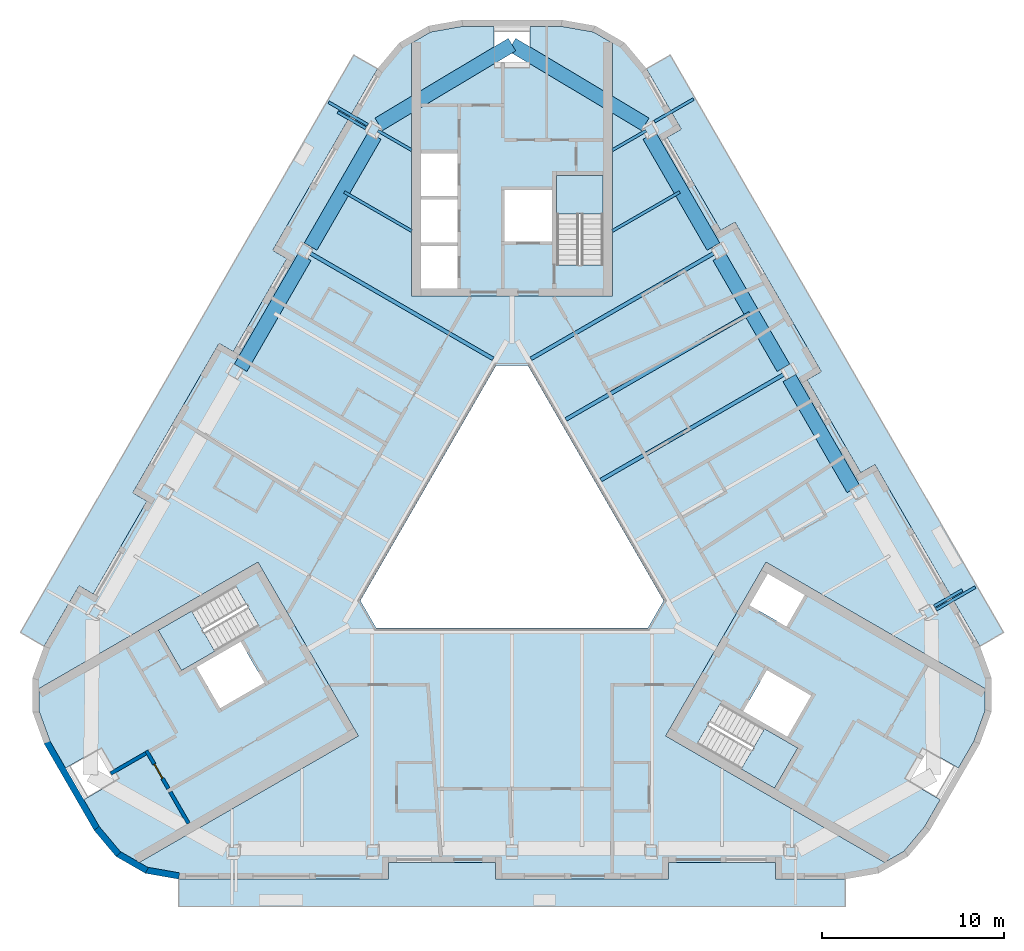
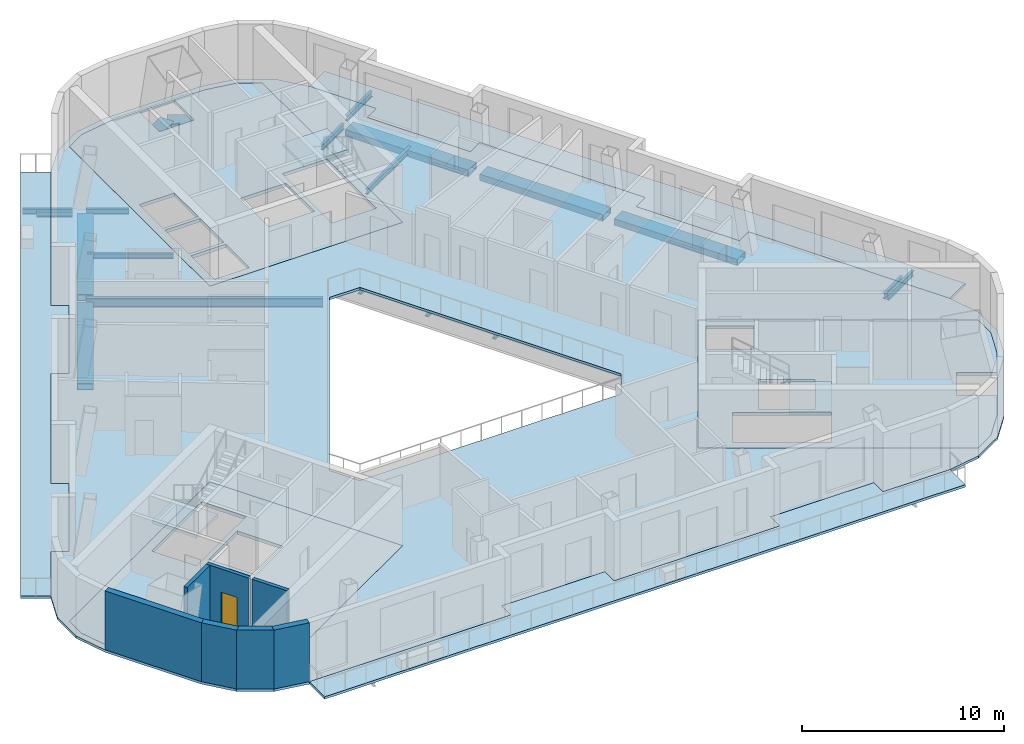
# One storey, part 2 of 14: 20 beams, 10 slabs, 7 walls, 1 door, 1 opening, 3 elements without a shape of their own.
"""IFC4 building model written with IfcOpenShell, lengths in metres."""

from ifc_helpers import new_model, si_unit, direction, frame, frame_2d, origin, origin_2d, place, context, subcontext, project, spatial, polyline, rectangle, hollow_rectangle, i_section, outline, extrude, material, layer, layer_set, material_profile, profile_set, type_object, element, fill, aggregate, save


model = new_model("IFC4")

# Units and contexts
model_context = context("Model", 3, precision=1e-05, world=origin(), true_north=direction((0.0, 1.0)))
body_context = subcontext(model_context, "Body", "Model", "MODEL_VIEW")
ifc_project = project(units=[si_unit("LENGTHUNIT", "METRE"), si_unit("AREAUNIT", "SQUARE_METRE"), si_unit("VOLUMEUNIT", "CUBIC_METRE"), si_unit("PLANEANGLEUNIT", "RADIAN"), si_unit("MASSUNIT", "GRAM", prefix="KILO")], contexts=[model_context])

# Site, building, storey
site_placement = place(None, origin())
site = spatial("IfcSite", under=ifc_project, at=site_placement, CompositionType="ELEMENT")
building_placement = place(site_placement, origin())
building = spatial("IfcBuilding", under=site, at=building_placement, Name="Apuvela Tower Hotel", CompositionType="ELEMENT")
storey_placement = place(building_placement, frame((0.0, 0.0, 265.199951171875)))
storey = spatial("IfcBuildingStorey", under=building, at=storey_placement, Name="L65", CompositionType="ELEMENT", Elevation=265.199951171875)

# Beams
ifc_material_1 = material(Name="Steel S355", Category="steel")
ifc_material_profile_1 = material_profile(ifc_material_1, i_section(OverallWidth=0.159912109375, OverallDepth=0.330078125, WebThickness=0.007568359375, FlangeThickness=0.011474609375, at=origin_2d()), Name="IPE 330")
ifc_profile_set_1 = profile_set([ifc_material_profile_1], Name="Steel S355")
beam_type_1 = type_object("IfcBeamType", Name="ENV-BALCONY-BEAM-IPE330", PredefinedType="BEAM", material=ifc_profile_set_1)
beam_1_placement = place(storey_placement, frame((23.249755859375, -4.2939453125, -0.31494140625), z_axis=(0.866031185235, 0.4999899861, 0.0), x_axis=(-0.4999899861, 0.866031185235, 0.0)))
element("IfcBeam", 1, at=beam_1_placement, inside=storey, type_object=beam_type_1, Name="Balcony cantilever beam NE1 L65", PredefinedType="BEAM", context=body_context, shape_type="SweptSolid", body=[
    extrude(i_section(OverallWidth=0.159912109375, OverallDepth=0.330078125, WebThickness=0.007568359375, FlangeThickness=0.011474609375, at=origin_2d()), origin(), (0.0, 0.0, 1.0), 2.47509765625),
])
beam_2_placement = place(storey_placement, frame((23.139892578125, -4.103515625, -0.31494140625), z_axis=(0.865965678975, 0.50010343214, 0.0), x_axis=(-0.50010343214, 0.865965678975, 0.0)))
element("IfcBeam", 2, at=beam_2_placement, inside=storey, type_object=beam_type_1, Name="Balcony cantilever beam NE2 L65", PredefinedType="BEAM", context=body_context, shape_type="SweptSolid", body=[
    extrude(i_section(OverallWidth=0.159912109375, OverallDepth=0.330078125, WebThickness=0.007568359375, FlangeThickness=0.011474609375, at=origin_2d()), origin(), (0.0, 0.0, 1.0), 1.77490234375),
])
beam_3_placement = place(storey_placement, frame((7.80615234375, 22.455078125, -0.31494140625), z_axis=(0.866031185235, 0.4999899861, 0.0), x_axis=(-0.4999899861, 0.866031185235, 0.0)))
element("IfcBeam", 3, at=beam_3_placement, inside=storey, type_object=beam_type_1, Name="Balcony cantilever beam NE3 L65", PredefinedType="BEAM", context=body_context, shape_type="SweptSolid", body=[
    extrude(i_section(OverallWidth=0.159912109375, OverallDepth=0.330078125, WebThickness=0.007568359375, FlangeThickness=0.011474609375, at=origin_2d()), origin(), (0.0, 0.0, 1.0), 2.47509765625),
])
beam_4_placement = place(storey_placement, frame((-7.90625, 22.281982421875, -0.31494140625), z_axis=(-0.86604923931, 0.499958713387, 0.0), x_axis=(-0.499958713387, -0.86604923931, 0.0)))
element("IfcBeam", 4, at=beam_4_placement, inside=storey, type_object=beam_type_1, Name="Balcony cantilever beam NW1 L65", PredefinedType="BEAM", context=body_context, shape_type="SweptSolid", body=[
    extrude(i_section(OverallWidth=0.159912109375, OverallDepth=0.330078125, WebThickness=0.007568359375, FlangeThickness=0.011474609375, at=origin_2d()), origin(), (0.0, 0.0, 1.0), 2.474853515625),
])
beam_5_placement = place(storey_placement, frame((-8.01611328125, 22.09130859375, -0.31494140625), z_axis=(-0.866059624469, 0.499940723351, 0.0), x_axis=(-0.499940723351, -0.866059624469, 0.0)))
element("IfcBeam", 5, at=beam_5_placement, inside=storey, type_object=beam_type_1, Name="Balcony cantilever beam NW2 L65", PredefinedType="BEAM", context=body_context, shape_type="SweptSolid", body=[
    extrude(i_section(OverallWidth=0.159912109375, OverallDepth=0.330078125, WebThickness=0.007568359375, FlangeThickness=0.011474609375, at=origin_2d()), origin(), (0.0, 0.0, 1.0), 1.775146484375),
])
ifc_material_profile_2 = material_profile(ifc_material_1, i_section(OverallWidth=0.159912109375, OverallDepth=0.330078125, WebThickness=0.007568359375, FlangeThickness=0.011474609375, at=origin_2d()), Name="IPE 330")
ifc_profile_set_2 = profile_set([ifc_material_profile_2], Name="Steel S355")
beam_type_2 = type_object("IfcBeamType", Name="STR-B floor beam IPE 330", PredefinedType="BEAM", material=ifc_profile_set_2)
beam_6_placement = place(storey_placement, frame((9.1962890625, 18.597412109375, -0.31494140625), z_axis=(-0.866027461465, -0.499996435975, 0.0), x_axis=(0.499996435975, -0.866027461465, 0.0)))
element("IfcBeam", 6, at=beam_6_placement, inside=storey, type_object=beam_type_2, Name="Floor beam B1 NE8", PredefinedType="BEAM", context=body_context, shape_type="SweptSolid", body=[
    extrude(i_section(OverallWidth=0.159912109375, OverallDepth=0.330078125, WebThickness=0.007568359375, FlangeThickness=0.011474609375, at=origin_2d()), origin(), (0.0, 0.0, 1.0), 4.26806640625),
])
for number, where, z_axis, x_axis, name in (
    (7, (7.34326171875, 21.956787109375, -0.31494140625), (-0.866025132214, -0.500000470374, 0.0), (0.500000470374, -0.866025132214, 0.0), "Floor beam B1 NE9"),
    (8, (-7.34326171875, 21.956787109375, -0.31494140625), (0.866025132214, -0.500000470374, 0.0), (0.500000470374, 0.866025132214, 0.0), "Floor beam B1 NW1"),
):
    element("IfcBeam", number, at=place(storey_placement, frame(where, z_axis=z_axis, x_axis=x_axis)), inside=storey, type_object=beam_type_2, Name=name, PredefinedType="BEAM", context=body_context, shape_type="SweptSolid", body=[
        extrude(i_section(OverallWidth=0.159912109375, OverallDepth=0.330078125, WebThickness=0.007568359375, FlangeThickness=0.011474609375, at=origin_2d()), origin(), (0.0, 0.0, 1.0), 2.12841796875),
    ])
beam_7_placement = place(storey_placement, frame((-9.1962890625, 18.597412109375, -0.31494140625), z_axis=(0.866027461465, -0.499996435975, 0.0), x_axis=(0.499996435975, 0.866027461465, 0.0)))
element("IfcBeam", 9, at=beam_7_placement, inside=storey, type_object=beam_type_2, Name="Floor beam B1 NW2", PredefinedType="BEAM", context=body_context, shape_type="SweptSolid", body=[
    extrude(i_section(OverallWidth=0.159912109375, OverallDepth=0.330078125, WebThickness=0.007568359375, FlangeThickness=0.011474609375, at=origin_2d()), origin(), (0.0, 0.0, 1.0), 4.26806640625),
])
ifc_material_profile_3 = material_profile(ifc_material_1, i_section(OverallWidth=0.2099609375, OverallDepth=0.550048828125, WebThickness=0.010986328125, FlangeThickness=0.01708984375, at=origin_2d()), Name="IPE 550")
ifc_profile_set_3 = profile_set([ifc_material_profile_3], Name="Steel S355")
beam_type_3 = type_object("IfcBeamType", Name="STR-B floor beam IPE 550", PredefinedType="BEAM", material=ifc_profile_set_3)
beam_8_placement = place(storey_placement, frame((15.01513671875, 8.6689453125, -0.425048828125), z_axis=(-0.866026678465, -0.499997792181, 0.0), x_axis=(0.499997792181, -0.866026678465, 0.0)))
element("IfcBeam", 10, at=beam_8_placement, inside=storey, type_object=beam_type_3, Name="Floor beam B7 NE5", PredefinedType="BEAM", context=body_context, shape_type="SweptSolid", body=[
    extrude(i_section(OverallWidth=0.2099609375, OverallDepth=0.550048828125, WebThickness=0.010986328125, FlangeThickness=0.01708984375, at=origin_2d()), origin(), (0.0, 0.0, 1.0), 11.7177734375),
])
beam_9_placement = place(storey_placement, frame((13.0322265625, 11.953369140625, -0.425048828125), z_axis=(-0.866030544062, -0.499991096673, 0.0), x_axis=(0.499991096673, -0.866030544062, 0.0)))
element("IfcBeam", 11, at=beam_9_placement, inside=storey, type_object=beam_type_3, Name="Floor beam B7 NE6", PredefinedType="BEAM", context=body_context, shape_type="SweptSolid", body=[
    extrude(i_section(OverallWidth=0.2099609375, OverallDepth=0.550048828125, WebThickness=0.010986328125, FlangeThickness=0.01708984375, at=origin_2d()), origin(), (0.0, 0.0, 1.0), 11.642822265625),
])
for number, where, z_axis, x_axis, name in (
    (12, (11.17919921875, 15.31298828125, -0.425048828125), (-0.866026678465, -0.499997792181, 0.0), (0.499997792181, -0.866026678465, 0.0), "Floor beam B7 NE7"),
    (13, (-11.17919921875, 15.31298828125, -0.425048828125), (0.866026678465, -0.499997792181, 0.0), (0.499997792181, 0.866026678465, 0.0), "Floor beam B7 NW3"),
):
    element("IfcBeam", number, at=place(storey_placement, frame(where, z_axis=z_axis, x_axis=x_axis)), inside=storey, type_object=beam_type_3, Name=name, PredefinedType="BEAM", context=body_context, shape_type="SweptSolid", body=[
        extrude(i_section(OverallWidth=0.2099609375, OverallDepth=0.550048828125, WebThickness=0.010986328125, FlangeThickness=0.01708984375, at=origin_2d()), origin(), (0.0, 0.0, 1.0), 11.7177734375),
    ])
ifc_material_2 = material(Name="Steel S460", Category="steel")
ifc_material_profile_4 = material_profile(ifc_material_2, hollow_rectangle(XDim=0.800048828125, YDim=0.39990234375, WallThickness=0.02490234375, at=origin_2d()), Name="BOX 800x400x25")
ifc_profile_set_4 = profile_set([ifc_material_profile_4], Name="Steel S460")
beam_type_4 = type_object("IfcBeamType", Name="STR-RB perimeter ring beam BOX 800x400x25", PredefinedType="SPANDREL", material=ifc_profile_set_4)
for number, where, z_axis, x_axis, name in (
    (14, (18.710205078125, 2.319091796875, -0.39990234375), (-0.500024430241, 0.866011298519, 0.0), (-0.866011298519, -0.500024430241, 0.0), "Ring beam RB1 NE2"),
    (15, (14.874267578125, 8.962890625, -0.39990234375), (-0.500009374365, 0.866019991425, 0.0), (-0.866019991425, -0.500009374365, 0.0), "Ring beam RB1 NE3"),
    (16, (11.038330078125, 15.60693359375, -0.39990234375), (-0.500009374365, 0.866019991425, 0.0), (-0.866019991425, -0.500009374365, 0.0), "Ring beam RB1 NE4"),
    (17, (-7.52734375, 21.68798828125, -0.39990234375), (-0.500009374365, -0.866019991425, 0.0), (0.866019991425, -0.500009374365, 0.0), "Ring beam RB1 NW1"),
    (18, (-11.36328125, 15.0439453125, -0.39990234375), (-0.500009374365, -0.866019991425, 0.0), (0.866019991425, -0.500009374365, 0.0), "Ring beam RB1 NW2"),
):
    element("IfcBeam", number, at=place(storey_placement, frame(where, z_axis=z_axis, x_axis=x_axis)), inside=storey, type_object=beam_type_4, Name=name, PredefinedType="SPANDREL", context=body_context, shape_type="SweptSolid", body=[
        extrude(hollow_rectangle(XDim=0.800048828125, YDim=0.39990234375, WallThickness=0.02490234375, at=origin_2d()), origin(), (0.0, 0.0, 1.0), 7.021728515625),
    ])
for number, where, z_axis, x_axis, name in (
    (19, (7.305419921875, 22.310302734375, -0.39990234375), (-0.858387658138, 0.51300158709, 0.0), (-0.51300158709, -0.858387658138, 0.0), "Ring beam RB1 NE5-N"),
    (20, (-7.305419921875, 22.310302734375, -0.39990234375), (0.858387658138, 0.51300158709, 0.0), (-0.51300158709, 0.858387658138, 0.0), "Ring beam RB1 NW1-N"),
):
    element("IfcBeam", number, at=place(storey_placement, frame(where, z_axis=z_axis, x_axis=x_axis)), inside=storey, type_object=beam_type_4, Name=name, PredefinedType="SPANDREL", context=body_context, shape_type="SweptSolid", body=[
        extrude(hollow_rectangle(XDim=0.800048828125, YDim=0.39990234375, WallThickness=0.02490234375, at=origin_2d()), origin(), (0.0, 0.0, 1.0), 8.5107421875),
    ])

# Slabs
ifc_material_3 = material(Name="Concrete C50/60", Category="concrete")
ifc_layer_1 = layer(ifc_material_3, 0.199951171875)
ifc_layer_set_1 = layer_set([ifc_layer_1], Name="COR-FLOOR-200")
slab_type_1 = type_object("IfcSlabType", Name="COR-FLOOR-200", PredefinedType="FLOOR", material=ifc_layer_set_1)
slab_1_placement = place(storey_placement, frame((0.0, 0.0, -0.199951171875)))
element("IfcSlab", 21, at=slab_1_placement, inside=storey, type_object=slab_type_1, Name="Core floor N", PredefinedType="FLOOR", context=body_context, shape_type="SweptSolid", body=[
    extrude(outline(polyline([(5.5, 26.765380859375), (4.452392578125, 27.3701171875), (2.716796875, 27.67626953125), (1.0, 27.67626953125), (1.0, 25.67626953125), (-1.0, 25.67626953125), (-1.0, 27.67626953125), (-2.716796875, 27.67626953125), (-4.452392578125, 27.3701171875), (-5.5, 26.765380859375), (-5.5, 12.89990234375), (5.5, 12.89990234375), (5.5, 26.765380859375)]), holes=[polyline([(-3.0, 13.300048828125), (-5.0, 13.300048828125), (-5.0, 15.639892578125), (-3.0, 15.639892578125), (-3.0, 13.300048828125)]), polyline([(-3.0, 15.840087890625), (-5.0, 15.840087890625), (-5.0, 18.179931640625), (-3.0, 18.179931640625), (-3.0, 15.840087890625)]), polyline([(5.0, 14.60595703125), (2.449951171875, 14.60595703125), (2.449951171875, 19.5), (5.0, 19.5), (5.0, 14.60595703125)]), polyline([(2.199951171875, 18.699951171875), (2.199951171875, 15.89990234375), (-0.39990234375, 15.89990234375), (-0.39990234375, 18.699951171875), (2.199951171875, 18.699951171875)]), polyline([(-3.0, 20.719970703125), (-3.0, 18.3798828125), (-5.0, 18.3798828125), (-5.0, 20.719970703125), (-3.0, 20.719970703125)])]), origin(), (0.0, 0.0, 1.0), 0.199951171875),
])
slab_2_placement = place(storey_placement, frame((0.0, 0.0, -0.199951171875)))
element("IfcSlab", 22, at=slab_2_placement, inside=storey, type_object=slab_type_1, Name="Core floor SW", PredefinedType="FLOOR", context=body_context, shape_type="SweptSolid", body=[
    extrude(outline(polyline([(-25.929443359375, -8.61962890625), (-25.929443359375, -9.8291015625), (-25.32666015625, -11.4853515625), (-24.468505859375, -12.97216796875), (-22.736328125, -11.97216796875), (-21.736328125, -13.7041015625), (-23.468505859375, -14.7041015625), (-23.2412109375, -15.097900390625), (-22.610107421875, -16.19091796875), (-21.47705078125, -17.541015625), (-20.429443359375, -18.145751953125), (-8.421630859375, -11.213134765625), (-13.921630859375, -1.68701171875), (-25.929443359375, -8.61962890625)]), holes=[polyline([(-13.874267578125, -5.18115234375), (-18.112548828125, -7.628173828125), (-19.387451171875, -5.419921875), (-15.149169921875, -2.972900390625), (-13.874267578125, -5.18115234375)]), polyline([(-13.56982421875, -8.29638671875), (-15.99462890625, -9.6962890625), (-17.294677734375, -7.444580078125), (-14.869873046875, -6.044677734375), (-13.56982421875, -8.29638671875)])]), origin(), (0.0, 0.0, 1.0), 0.199951171875),
])
slab_3_placement = place(storey_placement, frame((0.0, 0.0, -0.199951171875)))
element("IfcSlab", 23, at=slab_3_placement, inside=storey, type_object=slab_type_1, Name="Core floor SE", PredefinedType="FLOOR", context=body_context, shape_type="SweptSolid", body=[
    extrude(outline(polyline([(20.429443359375, -18.145751953125), (21.47705078125, -17.541015625), (22.610107421875, -16.19091796875), (23.468505859375, -14.7041015625), (21.736328125, -13.7041015625), (22.736328125, -11.97216796875), (24.468505859375, -12.97216796875), (25.32666015625, -11.4853515625), (25.929443359375, -9.8291015625), (25.929443359375, -8.61962890625), (13.921630859375, -1.68701171875), (8.421630859375, -11.213134765625), (20.429443359375, -18.145751953125)]), holes=[polyline([(14.01806640625, -2.31982421875), (16.044677734375, -3.489990234375), (15.044677734375, -5.221923828125), (13.01806640625, -4.052001953125), (14.01806640625, -2.31982421875)]), polyline([(10.149169921875, -11.633056640625), (11.42431640625, -9.4248046875), (15.66259765625, -11.871826171875), (14.387451171875, -14.080078125), (10.149169921875, -11.633056640625)]), polyline([(12.669921875, -9.855224609375), (13.9697265625, -7.603515625), (16.394775390625, -9.003662109375), (15.0947265625, -11.25537109375), (12.669921875, -9.855224609375)])]), origin(), (0.0, 0.0, 1.0), 0.199951171875),
])

# Stair, slab
stair_type = type_object("IfcStairType", Name="COR-STAIR-22R", PredefinedType="HALF_TURN_STAIR", material=ifc_material_3)
stair_1_placement = place(storey_placement, origin())
stair_1 = element("IfcStair", 24, at=stair_1_placement, inside=storey, type_object=stair_type, Name="L65 Exit stair ST1", PredefinedType="HALF_TURN_STAIR")
ifc_layer_2 = layer(ifc_material_3, 0.199951171875)
ifc_layer_set_2 = layer_set([ifc_layer_2], Name="COR-LANDING-200")
slab_type_2 = type_object("IfcSlabType", Name="COR-LANDING-200", PredefinedType="LANDING", material=ifc_layer_set_2)
slab_4_placement = place(storey_placement, frame((0.0, 0.0, 1.650146484375)))
slab_4 = element("IfcSlab", 25, at=slab_4_placement, type_object=slab_type_2, Name="ST1 landing 1", PredefinedType="LANDING", context=body_context, shape_type="SweptSolid", body=[
    extrude(outline(polyline([(5.0, 17.39404296875), (5.0, 19.5), (2.449951171875, 19.5), (2.449951171875, 17.39404296875), (5.0, 17.39404296875)])), origin(), (0.0, 0.0, 1.0), 0.199951171875),
])
aggregate(stair_1, [slab_4])

stair_2_placement = place(storey_placement, origin())
stair_2 = element("IfcStair", 26, at=stair_2_placement, inside=storey, type_object=stair_type, Name="L65 Exit stair ST2", PredefinedType="HALF_TURN_STAIR")
slab_5_placement = place(storey_placement, frame((0.0, 0.0, 1.650146484375)))
slab_5 = element("IfcSlab", 27, at=slab_5_placement, type_object=slab_type_2, Name="ST2 landing 1", PredefinedType="LANDING", context=body_context, shape_type="SweptSolid", body=[
    extrude(outline(polyline([(-17.563720703125, -4.366943359375), (-19.387451171875, -5.419921875), (-18.112548828125, -7.628173828125), (-16.28857421875, -6.5751953125), (-17.563720703125, -4.366943359375)])), origin(), (0.0, 0.0, 1.0), 0.199951171875),
])
aggregate(stair_2, [slab_5])

stair_3_placement = place(storey_placement, origin())
stair_3 = element("IfcStair", 28, at=stair_3_placement, inside=storey, type_object=stair_type, Name="L65 Exit stair ST3", PredefinedType="HALF_TURN_STAIR")
slab_6_placement = place(storey_placement, frame((0.0, 0.0, 1.650146484375)))
slab_6 = element("IfcSlab", 29, at=slab_6_placement, type_object=slab_type_2, Name="ST3 landing 1", PredefinedType="LANDING", context=body_context, shape_type="SweptSolid", body=[
    extrude(outline(polyline([(12.563720703125, -13.027099609375), (14.387451171875, -14.080078125), (15.66259765625, -11.871826171875), (13.838623046875, -10.81884765625), (12.563720703125, -13.027099609375)])), origin(), (0.0, 0.0, 1.0), 0.199951171875),
])
aggregate(stair_3, [slab_6])

# Slabs
ifc_material_4 = material(Name="Concrete C40/50, fair-faced", Category="concrete")
ifc_layer_3 = layer(ifc_material_4, 0.14990234375)
ifc_layer_set_3 = layer_set([ifc_layer_3], Name="ENV-BALCONY-150")
slab_type_3 = type_object("IfcSlabType", Name="ENV-BALCONY-150", PredefinedType="FLOOR", material=ifc_layer_set_3)
slab_7_placement = place(storey_placement, frame((0.0, 0.0, -0.14990234375)))
element("IfcSlab", 30, at=slab_7_placement, inside=storey, type_object=slab_type_3, Name="Balcony slab S L65", PredefinedType="FLOOR", context=body_context, shape_type="SweptSolid", body=[
    extrude(outline(polyline([(18.27734375, -20.56787109375), (-18.27734375, -20.56787109375), (-18.27734375, -19.057861328125), (-6.77685546875, -19.057861328125), (-6.77685546875, -18.157958984375), (-0.89501953125, -18.157958984375), (-0.89501953125, -19.057861328125), (8.56689453125, -19.057861328125), (8.56689453125, -18.157958984375), (14.448486328125, -18.157958984375), (14.448486328125, -19.057861328125), (18.27734375, -19.057861328125), (18.27734375, -20.56787109375)])), origin(), (0.0, 0.0, 1.0), 0.14990234375),
])
slab_8_placement = place(storey_placement, frame((0.0, 0.0, -0.14990234375)))
element("IfcSlab", 31, at=slab_8_placement, inside=storey, type_object=slab_type_3, Name="Balcony slab NE L65", PredefinedType="FLOOR", context=body_context, shape_type="SweptSolid", body=[
    extrude(outline(polyline([(16.9521484375, 8.75390625), (12.22119140625, 16.947998046875), (11.44189453125, 16.498046875), (8.5009765625, 21.591796875), (9.280517578125, 22.041748046875), (7.365966796875, 25.357666015625), (8.673583984375, 26.112548828125), (26.950927734375, -5.544677734375), (25.643310546875, -6.299560546875), (19.89306640625, 3.66015625), (19.113525390625, 3.210205078125), (16.172607421875, 8.303955078125), (16.9521484375, 8.75390625)])), origin(), (0.0, 0.0, 1.0), 0.14990234375),
])
slab_9_placement = place(storey_placement, frame((0.0, 0.0, -0.14990234375)))
element("IfcSlab", 32, at=slab_9_placement, inside=storey, type_object=slab_type_3, Name="Balcony slab NW L65", PredefinedType="FLOOR", context=body_context, shape_type="SweptSolid", body=[
    extrude(outline(polyline([(-26.950927734375, -5.544677734375), (-8.673583984375, 26.112548828125), (-7.365966796875, 25.357421875), (-13.1162109375, 15.397705078125), (-12.3369140625, 14.94775390625), (-15.277587890625, 9.85400390625), (-16.05712890625, 10.303955078125), (-20.7880859375, 2.10986328125), (-20.008544921875, 1.659912109375), (-22.949462890625, -3.433837890625), (-23.72900390625, -2.98388671875), (-25.643310546875, -6.2998046875), (-26.950927734375, -5.544677734375)])), origin(), (0.0, 0.0, 1.0), 0.14990234375),
])
ifc_material_5 = material(Name="Concrete C35/45", Category="concrete")
ifc_layer_4 = layer(ifc_material_5, 0.14990234375)
ifc_layer_set_4 = layer_set([ifc_layer_4], Name="STR-SLAB 150 floor Concrete C35/45")
slab_type_4 = type_object("IfcSlabType", Name="STR-SLAB 150 floor Concrete C35/45", PredefinedType="FLOOR", material=ifc_layer_set_4)
slab_10_placement = place(storey_placement, frame((0.0, 0.0, -0.14990234375)))
element("IfcSlab", 33, at=slab_10_placement, inside=storey, type_object=slab_type_4, Name="Floor slab S4 L65", PredefinedType="FLOOR", context=body_context, shape_type="SweptSolid", body=[
    extrude(outline(polyline([(-6.180419921875, 26.776611328125), (-4.57421875, 27.7041015625), (-2.747314453125, 28.0263671875), (2.747314453125, 28.0263671875), (4.57421875, 27.7041015625), (6.180419921875, 26.776611328125), (7.372802734375, 25.355712890625), (9.287109375, 22.039794921875), (8.5078125, 21.58984375), (11.443603515625, 16.5048828125), (12.22314453125, 16.954833984375), (16.958984375, 8.752197265625), (16.179443359375, 8.302001953125), (19.115478515625, 3.216796875), (19.89501953125, 3.6669921875), (25.64501953125, -6.292724609375), (26.279541015625, -8.035888671875), (26.279541015625, -9.890869140625), (25.64501953125, -11.6337890625), (22.897705078125, -16.392333984375), (21.70556640625, -17.813232421875), (20.09912109375, -18.74072265625), (18.272216796875, -19.06298828125), (14.443603515625, -19.06298828125), (14.443603515625, -18.162841796875), (8.57177734375, -18.162841796875), (8.57177734375, -19.06298828125), (-0.89990234375, -19.06298828125), (-0.89990234375, -18.162841796875), (-6.771728515625, -18.162841796875), (-6.771728515625, -19.06298828125), (-18.272216796875, -19.06298828125), (-20.09912109375, -18.74072265625), (-21.70556640625, -17.813232421875), (-22.897705078125, -16.392333984375), (-25.64501953125, -11.6337890625), (-26.279541015625, -9.890869140625), (-26.279541015625, -8.035888671875), (-25.64501953125, -6.292724609375), (-23.730712890625, -2.97705078125), (-22.951416015625, -3.427001953125), (-20.015380859375, 1.657958984375), (-20.794921875, 2.10791015625), (-16.05908203125, 10.310791015625), (-15.279541015625, 9.86083984375), (-12.34375, 14.946044921875), (-13.123046875, 15.39599609375), (-7.372802734375, 25.355712890625), (-6.180419921875, 26.776611328125)]), holes=[polyline([(0.865966796875, 9.10009765625), (-0.865966796875, 9.10009765625), (-8.313720703125, -3.800048828125), (-7.44775390625, -5.300048828125), (7.44775390625, -5.300048828125), (8.313720703125, -3.800048828125), (0.865966796875, 9.10009765625)]), polyline([(-5.5, 12.89990234375), (-5.5, 26.765380859375), (-4.452392578125, 27.3701171875), (-2.716796875, 27.67626953125), (2.716796875, 27.67626953125), (4.452392578125, 27.3701171875), (5.5, 26.765380859375), (5.5, 12.89990234375), (-5.5, 12.89990234375)]), polyline([(-8.421630859375, -11.213134765625), (-20.429443359375, -18.145751953125), (-21.47705078125, -17.541015625), (-22.610107421875, -16.19091796875), (-23.2412109375, -15.097900390625), (-25.32666015625, -11.4853515625), (-25.929443359375, -9.8291015625), (-25.929443359375, -8.61962890625), (-13.921630859375, -1.68701171875), (-8.421630859375, -11.213134765625)]), polyline([(13.921630859375, -1.68701171875), (25.929443359375, -8.61962890625), (25.929443359375, -9.8291015625), (25.32666015625, -11.4853515625), (22.610107421875, -16.19091796875), (21.47705078125, -17.541015625), (20.429443359375, -18.145751953125), (8.421630859375, -11.213134765625), (13.921630859375, -1.68701171875)])]), origin(), (0.0, 0.0, 1.0), 0.14990234375),
])

# Wall, opening, door
ifc_layer_5 = layer(ifc_material_3, 0.199951171875)
ifc_layer_set_5 = layer_set([ifc_layer_5], Name="COR-WALL-SHAFT-200")
wall_type_1 = type_object("IfcWallType", Name="COR-WALL-SHAFT-200", PredefinedType="SHEAR", material=ifc_layer_set_5)
wall_1_placement = place(storey_placement, frame((-20.030517578125, -12.0263671875, 0.0), z_axis=(0.0, 0.0, 1.0), x_axis=(0.500033551112, -0.866006032174, 0.0)))
wall_1 = element("IfcWall", 34, at=wall_1_placement, inside=storey, type_object=wall_type_1, Name="Shaft wall SW", PredefinedType="SHEAR", context=body_context, shape_type="SweptSolid", body=[
    extrude(rectangle(XDim=2.400146484375, YDim=0.199951171875, at=frame_2d((1.2001953125, 0.0))), origin(), (0.0, 0.0, 1.0), 3.5),
])
opening_placement = place(wall_1_placement, frame((0.85009765625, 0.0, 0.0)))
opening = element("IfcOpeningElement", 35, at=opening_placement, cuts=wall_1, Name="Opening W-REP", PredefinedType="OPENING", context=body_context, shape_type="SweptSolid", body=[
    extrude(rectangle(XDim=0.89990234375, YDim=2.10009765625, at=frame_2d((0.449951171875, 1.050048828125))), frame((0.0, 0.10986328125, 0.0), z_axis=(0.0, -1.0, 0.0), x_axis=(1.0, 0.0, 0.0)), (0.0, 0.0, 1.0), 0.219970703125),
])
ifc_material_6 = material(Name="Steel fire door, powder coated", Category="steel")
door_type = type_object("IfcDoorType", Name="COR-DR-900", OperationType="NOTDEFINED", PredefinedType="DOOR", material=ifc_material_6)
door_placement = place(opening_placement, frame((0.89990234375, 0.0, 0.0), z_axis=(0.0, 0.0, 1.0), x_axis=(-1.0, 0.0, 0.0)))
door = element("IfcDoor", 36, at=door_placement, inside=storey, type_object=door_type, Name="Store door W-REP", OperationType="SINGLE_SWING_LEFT", OverallHeight=2.10009765625, OverallWidth=0.89990234375, PredefinedType="DOOR", context=body_context, shape_type="SweptSolid", body=[
    extrude(rectangle(XDim=0.89990234375, YDim=2.10009765625, at=frame_2d((0.449951171875, 1.050048828125))), frame((0.0, 0.02490234375, 0.0), z_axis=(0.0, -1.0, 0.0), x_axis=(1.0, 0.0, 0.0)), (0.0, 0.0, 1.0), 0.050048828125),
])
fill(opening, door)

# Walls
wall_2_placement = place(storey_placement, frame((-18.73046875, -14.278076171875, 0.0), z_axis=(0.0, 0.0, 1.0), x_axis=(0.50002537861, -0.866010750942, 0.0)))
element("IfcWall", 37, at=wall_2_placement, inside=storey, type_object=wall_type_1, Name="Shaft wall SW", PredefinedType="SHEAR", context=body_context, shape_type="SweptSolid", body=[
    extrude(rectangle(XDim=2.0, YDim=0.199951171875, at=frame_2d((1.0, 0.0))), origin(), (0.0, 0.0, 1.0), 3.5),
])
wall_3_placement = place(storey_placement, frame((-20.06689453125, -12.1630859375, 0.0), z_axis=(0.0, 0.0, 1.0), x_axis=(-0.866079196458, -0.49990681678, 0.0)))
element("IfcWall", 38, at=wall_3_placement, inside=storey, type_object=wall_type_1, Name="Shaft wall SW", PredefinedType="SHEAR", context=body_context, shape_type="SweptSolid", body=[
    extrude(rectangle(XDim=2.21630859375, YDim=0.199951171875, at=frame_2d((1.108154296875, 0.0))), origin(), (0.0, 0.0, 1.0), 3.5),
])
ifc_material_7 = material(Name="Concrete C40/50, dark pigmented precast panel", Category="concrete")
ifc_layer_6 = layer(ifc_material_7, 0.35009765625)
ifc_layer_set_6 = layer_set([ifc_layer_6], Name="ENV-WALL-350")
wall_type_2 = type_object("IfcWallType", Name="ENV-WALL-350", PredefinedType="SOLIDWALL", material=ifc_layer_set_6)
wall_4_placement = place(storey_placement, frame((-25.49365234375, -11.54638671875, 0.0), z_axis=(0.0, 0.0, 1.0), x_axis=(0.500028854569, -0.86600874395, 0.0)))
element("IfcWall", 39, at=wall_4_placement, inside=storey, type_object=wall_type_2, Name="External wall L65-13", PredefinedType="SOLIDWALL", context=body_context, shape_type="SweptSolid", body=[
    extrude(rectangle(XDim=5.494873046875, YDim=0.35009765625, at=frame_2d((2.74755859375, 0.0))), origin(), (0.0, 0.0, 1.0), 3.550048828125),
])
for number, where, z_axis, x_axis, name in (
    (40, (-22.763671875, -16.27978515625, 0.0), (0.0, 0.0, 1.0), (0.642744363867, -0.76608072859, 0.0), "External wall L65-14"),
    (41, (-21.617919921875, -17.661865234375, 0.0), (0.0, 0.0, 1.0), (0.866080385203, -0.499904757295, 0.0), "External wall L65-15"),
):
    element("IfcWall", number, at=place(storey_placement, frame(where, z_axis=z_axis, x_axis=x_axis)), inside=storey, type_object=wall_type_2, Name=name, PredefinedType="SOLIDWALL", context=body_context, shape_type="SweptSolid", body=[
        extrude(rectangle(XDim=1.854736328125, YDim=0.35009765625, at=frame_2d((0.92724609375, 0.0))), origin(), (0.0, 0.0, 1.0), 3.550048828125),
    ])
wall_5_placement = place(storey_placement, frame((-20.068603515625, -18.568359375, 0.0), z_axis=(0.0, 0.0, 1.0), x_axis=(0.984791508075, -0.173740282098, 0.0)))
element("IfcWall", 42, at=wall_5_placement, inside=storey, type_object=wall_type_2, Name="External wall L65-16", PredefinedType="SOLIDWALL", context=body_context, shape_type="SweptSolid", body=[
    extrude(rectangle(XDim=1.85498046875, YDim=0.35009765625, at=frame_2d((0.927490234375, 0.0))), origin(), (0.0, 0.0, 1.0), 3.550048828125),
])

save(model, "model.ifc")
